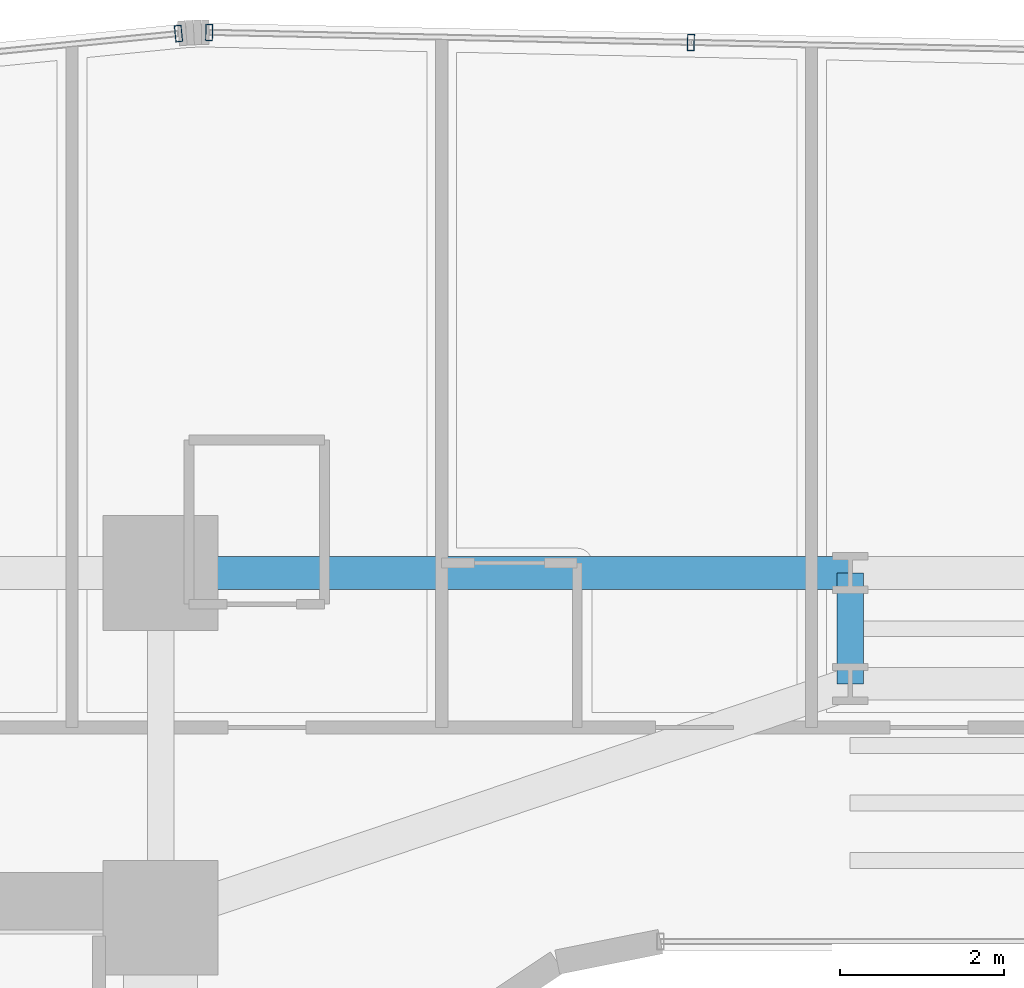
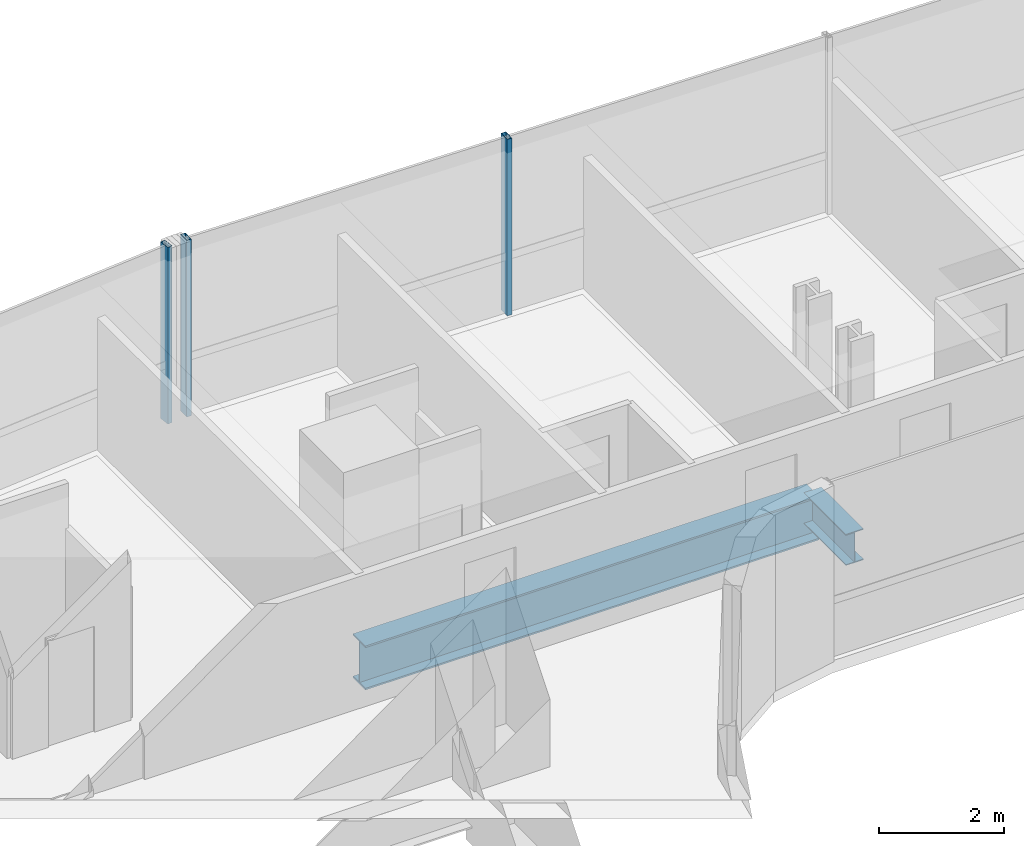
# One storey, part 20 of 42: 3 members, 2 beams, 2 elements without a shape of their own.
"""IFC4 building model written with IfcOpenShell, lengths in metres."""

from ifc_helpers import new_model, si_unit, direction, frame, origin, origin_2d, place, context, subcontext, project, spatial, hollow_rectangle, i_section, extrude, source, transform, mapped, material, material_profile, profile_set, type_object, element, aggregate, save


model = new_model("IFC4")

# Units and contexts
model_context = context("Model", 3, precision=1e-05, world=origin(), true_north=direction((0.0, 1.0)))
body_context = subcontext(model_context, "Body", "Model", "MODEL_VIEW")
ifc_project = project(units=[si_unit("LENGTHUNIT", "METRE"), si_unit("AREAUNIT", "SQUARE_METRE"), si_unit("VOLUMEUNIT", "CUBIC_METRE"), si_unit("PLANEANGLEUNIT", "RADIAN"), si_unit("MASSUNIT", "GRAM", prefix="KILO")], contexts=[model_context])

# Site, building, storey
site_placement = place(None, origin())
site = spatial("IfcSite", under=ifc_project, at=site_placement, CompositionType="ELEMENT")
building_placement = place(site_placement, origin())
building = spatial("IfcBuilding", under=site, at=building_placement, Name="Valdorenza Pilgrim Sanctuary Tower", CompositionType="ELEMENT")
storey_placement = place(building_placement, frame((0.0, 0.0, 29.699951171875)))
storey = spatial("IfcBuildingStorey", under=building, at=storey_placement, Name="L06", CompositionType="ELEMENT", Elevation=29.699951171875)

# Beams
ifc_material_1 = material(Name="Steel ASTM A992 Grade 50", Category="steel")
ifc_material_profile_1 = material_profile(ifc_material_1, i_section(OverallWidth=0.39990234375, OverallDepth=0.862060546875, WebThickness=0.019775390625, FlangeThickness=0.032470703125, at=origin_2d()), Name="W33X221")
ifc_profile_set_1 = profile_set([ifc_material_profile_1], Name="Steel ASTM A992 Grade 50")
beam_type_1 = type_object("IfcBeamType", Name="STR-BM-GRD-W33", PredefinedType="BEAM", material=ifc_profile_set_1)
shared_shape_1 = source(origin(), body_context, "Body", "SweptSolid", [
    extrude(i_section(OverallWidth=0.39990234375, OverallDepth=0.862060546875, WebThickness=0.019775390625, FlangeThickness=0.032470703125, at=origin_2d()), origin(), (0.0, 0.0, 1.0), 8.39990234375),
])
beam_1_placement = place(storey_placement, frame((-12.39990234375, 14.800048828125, -0.6708984375), z_axis=(1.0, 0.0, 0.0), x_axis=(0.0, 1.0, 0.0)))
element("IfcBeam", 1, at=beam_1_placement, inside=storey, type_object=beam_type_1, Name="L06 Floor Girder KNK-G4", PredefinedType="BEAM", context=body_context, shape_type="MappedRepresentation", body=[
    mapped(shared_shape_1, transform((0.0, 0.0, 0.0), x_axis=(1.0, 0.0, 0.0), y_axis=(0.0, 1.0, 0.0), z_axis=(0.0, 0.0, 1.0), scale=1.0)),
])
ifc_material_profile_2 = material_profile(ifc_material_1, i_section(OverallWidth=0.323974609375, OverallDepth=0.611083984375, WebThickness=0.0126953125, FlangeThickness=0.01904296875, at=origin_2d()), Name="W24X104")
ifc_profile_set_2 = profile_set([ifc_material_profile_2], Name="Steel ASTM A992 Grade 50")
beam_type_2 = type_object("IfcBeamType", Name="STR-BM-GRD-W24B", PredefinedType="BEAM", material=ifc_profile_set_2)
shared_shape_2 = source(origin(), body_context, "Body", "SweptSolid", [
    extrude(i_section(OverallWidth=0.323974609375, OverallDepth=0.611083984375, WebThickness=0.0126953125, FlangeThickness=0.01904296875, at=origin_2d()), origin(), (0.0, 0.0, 1.0), 1.35009765625),
])
beam_2_placement = place(storey_placement, frame((-4.0, 13.449951171875, -0.54541015625), z_axis=(0.0, 1.0, 0.0), x_axis=(-1.0, 0.0, 0.0)))
element("IfcBeam", 2, at=beam_2_placement, inside=storey, type_object=beam_type_2, Name="L06 Floor Girder KNK-TIE-W", PredefinedType="BEAM", context=body_context, shape_type="MappedRepresentation", body=[
    mapped(shared_shape_2, transform((0.0, 0.0, 0.0), x_axis=(1.0, 0.0, 0.0), y_axis=(0.0, 1.0, 0.0), z_axis=(0.0, 0.0, 1.0), scale=1.0)),
])

# Curtain wall, member
ifc_material_2 = material(Name="Curtain-wall IGU glazing", Category="glass")
curtain_wall_type = type_object("IfcCurtainWallType", Name="CW-SYS-02", PredefinedType="NOTDEFINED", material=ifc_material_2)
curtain_wall_1_placement = place(storey_placement, origin())
curtain_wall_1 = element("IfcCurtainWall", 3, at=curtain_wall_1_placement, inside=storey, type_object=curtain_wall_type, Name="L06 Curtain Wall CW-L06-1-6", PredefinedType="NOTDEFINED")
ifc_material_3 = material(Name="Anodised aluminium AW-6060", Category="aluminium")
ifc_material_profile_3 = material_profile(ifc_material_3, hollow_rectangle(XDim=0.0849609375, YDim=0.199951171875, WallThickness=0.0048828125, at=origin_2d()), Name="ALU-M 200x85x5")
ifc_profile_set_3 = profile_set([ifc_material_profile_3], Name="Anodised aluminium AW-6060")
member_type = type_object("IfcMemberType", Name="CW-MUL-02", PredefinedType="MULLION", material=ifc_profile_set_3)
shared_shape_3 = source(origin(), body_context, "Body", "SweptSolid", [
    extrude(hollow_rectangle(XDim=0.0849609375, YDim=0.199951171875, WallThickness=0.0048828125, at=origin_2d()), origin(), (0.0, 0.0, 1.0), 3.4599609375),
])
member_1_placement = place(storey_placement, frame((-12.181884765625, 21.371337890625, 0.0), z_axis=(0.0, 0.0, 1.0), x_axis=(0.995038220239, 0.099493418189, 0.0)))
member_1 = element("IfcMember", 4, at=member_1_placement, type_object=member_type, Name="CW-L06-1-6 Mullion 4", PredefinedType="MULLION", context=body_context, shape_type="MappedRepresentation", body=[
    mapped(shared_shape_3, transform((0.0, 0.0, 0.0), x_axis=(1.0, 0.0, 0.0), y_axis=(0.0, 1.0, 0.0), z_axis=(0.0, 0.0, 1.0), scale=1.0)),
])
aggregate(curtain_wall_1, [member_1])

# Curtain wall, members
curtain_wall_2_placement = place(storey_placement, origin())
curtain_wall_2 = element("IfcCurtainWall", 5, at=curtain_wall_2_placement, inside=storey, type_object=curtain_wall_type, Name="L06 Curtain Wall CW-L06-1-11", PredefinedType="NOTDEFINED")
member_2_placement = place(storey_placement, frame((-11.808349609375, 21.385986328125, 0.0), z_axis=(0.0, 0.0, 1.0), x_axis=(0.999783234613, -0.020820273474, 0.0)))
member_2 = element("IfcMember", 6, at=member_2_placement, type_object=member_type, Name="CW-L06-1-11 Mullion 1", PredefinedType="MULLION", context=body_context, shape_type="MappedRepresentation", body=[
    mapped(shared_shape_3, transform((0.0, 0.0, 0.0), x_axis=(1.0, 0.0, 0.0), y_axis=(0.0, 1.0, 0.0), z_axis=(0.0, 0.0, 1.0), scale=1.0)),
])
member_3_placement = place(storey_placement, frame((-5.93994140625, 21.263671875, 0.0), z_axis=(0.0, 0.0, 1.0), x_axis=(0.999783234613, -0.020820273474, 0.0)))
member_3 = element("IfcMember", 7, at=member_3_placement, type_object=member_type, Name="CW-L06-1-11 Mullion 2", PredefinedType="MULLION", context=body_context, shape_type="MappedRepresentation", body=[
    mapped(shared_shape_3, transform((0.0, 0.0, 0.0), x_axis=(1.0, 0.0, 0.0), y_axis=(0.0, 1.0, 0.0), z_axis=(0.0, 0.0, 1.0), scale=1.0)),
])
aggregate(curtain_wall_2, [member_2, member_3])

save(model, "model.ifc")
